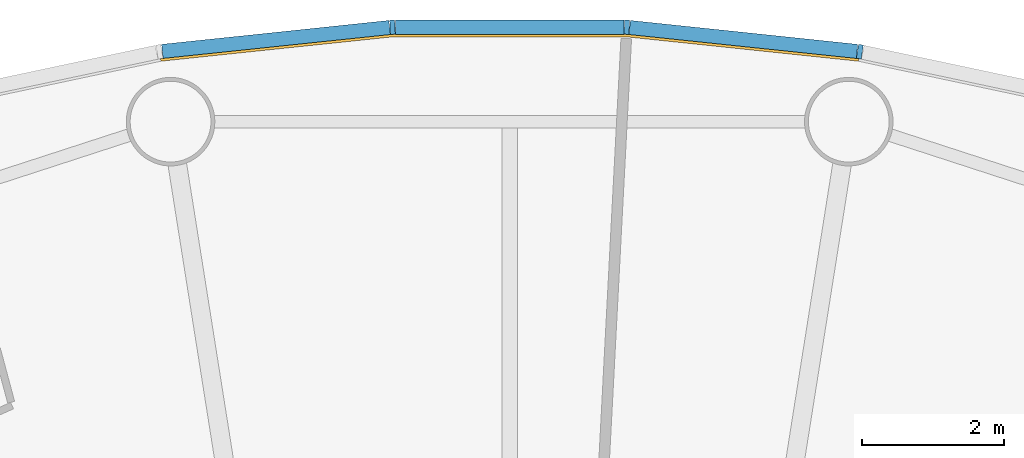
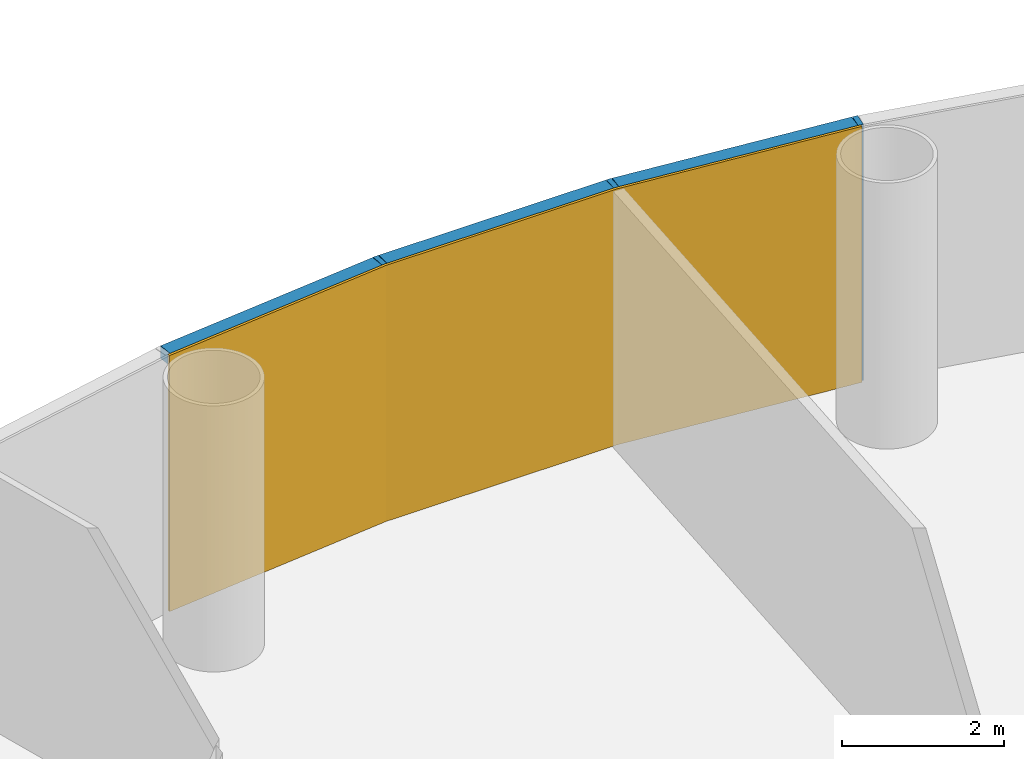
# One storey, part 11 of 13: 6 members, 1 curtain wall.
"""IFC4 building model written with IfcOpenShell, lengths in metres."""

from ifc_helpers import new_model, si_unit, direction, frame, origin, origin_2d, place, context, subcontext, project, spatial, polyline, rectangle, outline, extrude, material, layer, layer_set, material_profile, profile_set, type_object, element, aggregate, save


model = new_model("IFC4")

# Units and contexts
model_context = context("Model", 3, precision=1e-05, world=origin(), true_north=direction((0.0, 1.0)))
body_context = subcontext(model_context, "Body", "Model", "MODEL_VIEW")
ifc_project = project(units=[si_unit("LENGTHUNIT", "METRE"), si_unit("AREAUNIT", "SQUARE_METRE"), si_unit("VOLUMEUNIT", "CUBIC_METRE"), si_unit("PLANEANGLEUNIT", "RADIAN"), si_unit("MASSUNIT", "GRAM", prefix="KILO")], contexts=[model_context])

# Member
ifc_material_1 = material(Name="Anodised aluminium", Category="aluminium")
ifc_material_profile_1 = material_profile(ifc_material_1, rectangle(XDim=0.070068359375, YDim=0.199951171875, at=origin_2d()), Name="Mullion 70 x 200 mm anodised aluminium")
ifc_profile_set_1 = profile_set([ifc_material_profile_1], Name="Anodised aluminium")
member_type_1 = type_object("IfcMemberType", Name="Mullion 70 x 200 mm anodised aluminium", PredefinedType="MULLION", material=ifc_profile_set_1)
site_placement = place(None, origin())
building_placement = place(site_placement, origin())
storey_placement = place(building_placement, frame((0.0, 0.0, 84.0)))
member_1_placement = place(storey_placement, frame((94.943359375, 111.2109375, 0.0), z_axis=(0.0, 0.0, 1.0), x_axis=(-0.987688340595, 0.15643446504, 0.0)))
member_1 = element("IfcMember", 1, at=member_1_placement, type_object=member_type_1, Name="MULLION L18-12", PredefinedType="MULLION", context=body_context, shape_type="SweptSolid", body=[
    extrude(rectangle(XDim=0.070068359375, YDim=0.199951171875, at=origin_2d()), origin(), (0.0, 0.0, 1.0), 3.85009765625),
])

member_2_placement = place(storey_placement, frame((91.65380859375, 111.556640625, 0.0), z_axis=(0.0, 0.0, 1.0), x_axis=(-0.998629534755, 0.052335956243, 0.0)))
member_2 = element("IfcMember", 2, at=member_2_placement, type_object=member_type_1, Name="MULLION L18-13", PredefinedType="MULLION", context=body_context, shape_type="SweptSolid", body=[
    extrude(rectangle(XDim=0.070068359375, YDim=0.199951171875, at=origin_2d()), origin(), (0.0, 0.0, 1.0), 3.85009765625),
])

member_3_placement = place(storey_placement, frame((88.34619140625, 111.556640625, 0.0), z_axis=(0.0, 0.0, 1.0), x_axis=(-0.998629534755, -0.052335956243, 0.0)))
member_3 = element("IfcMember", 3, at=member_3_placement, type_object=member_type_1, Name="MULLION L18-14", PredefinedType="MULLION", context=body_context, shape_type="SweptSolid", body=[
    extrude(rectangle(XDim=0.070068359375, YDim=0.199951171875, at=origin_2d()), origin(), (0.0, 0.0, 1.0), 3.85009765625),
])

ifc_material_2 = material(Name="Anodised aluminium", Category="aluminium")
ifc_material_profile_2 = material_profile(ifc_material_2, rectangle(XDim=0.199951171875, YDim=0.18994140625, at=origin_2d()), Name="Transom 190 x 200 mm anodised aluminium")
ifc_profile_set_2 = profile_set([ifc_material_profile_2], Name="Anodised aluminium")
member_type_2 = type_object("IfcMemberType", Name="Transom 190 x 200 mm anodised aluminium", PredefinedType="USERDEFINED", material=ifc_profile_set_2)
member_4_placement = place(storey_placement, frame((94.9033203125, 111.21533203125, 3.7548828125), z_axis=(-0.994519537956, 0.104550890115, 0.0), x_axis=(-0.104550890115, -0.994519537956, 0.0)))
member_4 = element("IfcMember", 4, at=member_4_placement, type_object=member_type_2, Name="TRANSOM L18-12", ObjectType="TRANSOM", PredefinedType="USERDEFINED", context=body_context, shape_type="SweptSolid", body=[
    extrude(rectangle(XDim=0.199951171875, YDim=0.18994140625, at=origin_2d()), origin(), (0.0, 0.0, 1.0), 3.22705078125),
])

member_5_placement = place(storey_placement, frame((91.613525390625, 111.556884765625, 3.7548828125), z_axis=(-1.0, 0.0, 0.0), x_axis=(0.0, -1.0, 0.0)))
member_5 = element("IfcMember", 5, at=member_5_placement, type_object=member_type_2, Name="TRANSOM L18-13", ObjectType="TRANSOM", PredefinedType="USERDEFINED", context=body_context, shape_type="SweptSolid", body=[
    extrude(rectangle(XDim=0.199951171875, YDim=0.18994140625, at=origin_2d()), origin(), (0.0, 0.0, 1.0), 3.22705078125),
])

member_6_placement = place(storey_placement, frame((88.30615234375, 111.552734375, 3.7548828125), z_axis=(-0.994519537956, -0.104550890115, 0.0), x_axis=(0.104550890115, -0.994519537956, 0.0)))
member_6 = element("IfcMember", 6, at=member_6_placement, type_object=member_type_2, Name="TRANSOM L18-14", ObjectType="TRANSOM", PredefinedType="USERDEFINED", context=body_context, shape_type="SweptSolid", body=[
    extrude(rectangle(XDim=0.199951171875, YDim=0.18994140625, at=origin_2d()), origin(), (0.0, 0.0, 1.0), 3.22705078125),
])

# Site, building, storey
site = spatial("IfcSite", under=ifc_project, at=site_placement, CompositionType="ELEMENT")
building = spatial("IfcBuilding", under=site, at=building_placement, Name="Entoto Ring Tower", CompositionType="ELEMENT")
storey = spatial("IfcBuildingStorey", under=building, at=storey_placement, Name="L18", CompositionType="ELEMENT", Elevation=84.0)

# Curtain wall
ifc_material_3 = material(Name="Clear low-iron glass", Category="glass")
ifc_layer = layer(ifc_material_3, 0.035888671875)
ifc_layer_set = layer_set([ifc_layer], Name="Clear low-iron glass")
curtain_wall_type = type_object("IfcCurtainWallType", Name="Curtain wall system CW2 glazing 36 mm", PredefinedType="NOTDEFINED", material=ifc_layer_set)
curtain_wall_placement = place(storey_placement, origin())
curtain_wall = element("IfcCurtainWall", 7, at=curtain_wall_placement, inside=storey, type_object=curtain_wall_type, Name="CW2 L18-05", PredefinedType="NOTDEFINED", context=body_context, shape_type="SweptSolid", body=[
    extrude(outline(polyline([(94.927734375, 111.1123046875), (91.648681640625, 111.456787109375), (88.351318359375, 111.456787109375), (85.072265625, 111.1123046875), (85.077880859375, 111.07666015625), (88.353271484375, 111.4208984375), (91.646728515625, 111.4208984375), (94.922119140625, 111.07666015625), (94.927734375, 111.1123046875)])), origin(), (0.0, 0.0, 1.0), 3.85009765625),
])

aggregate(curtain_wall, [member_1, member_2, member_3, member_4, member_5, member_6])

save(model, "model.ifc")
